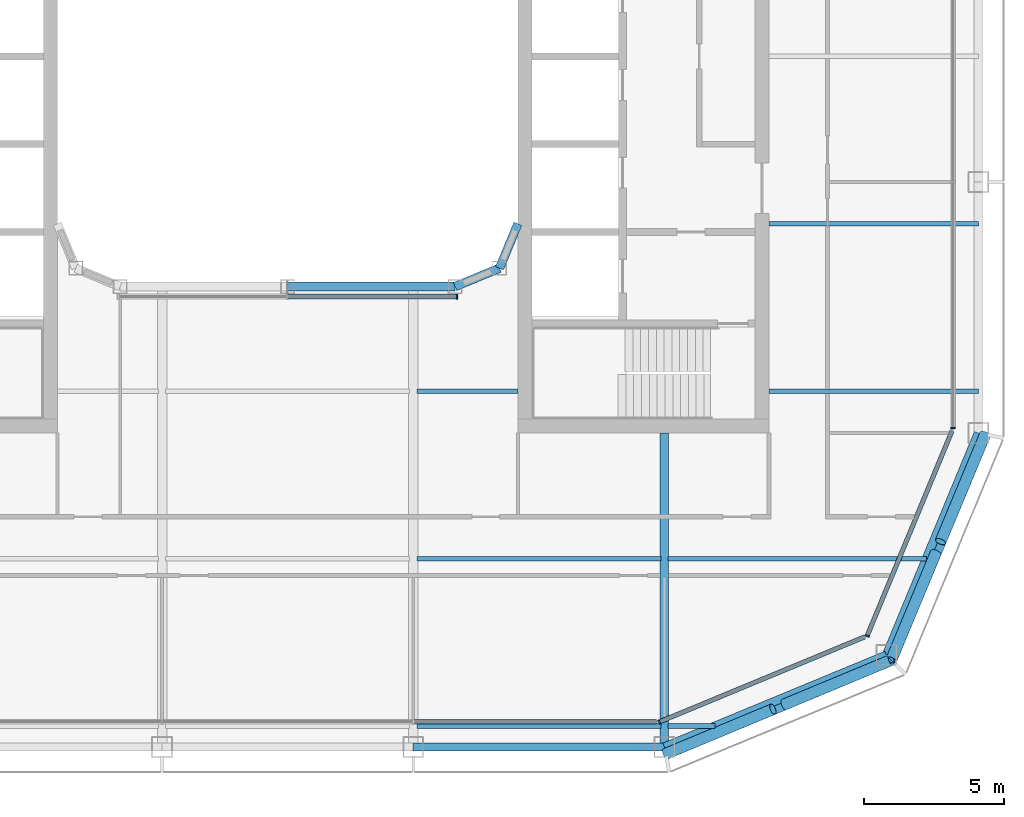
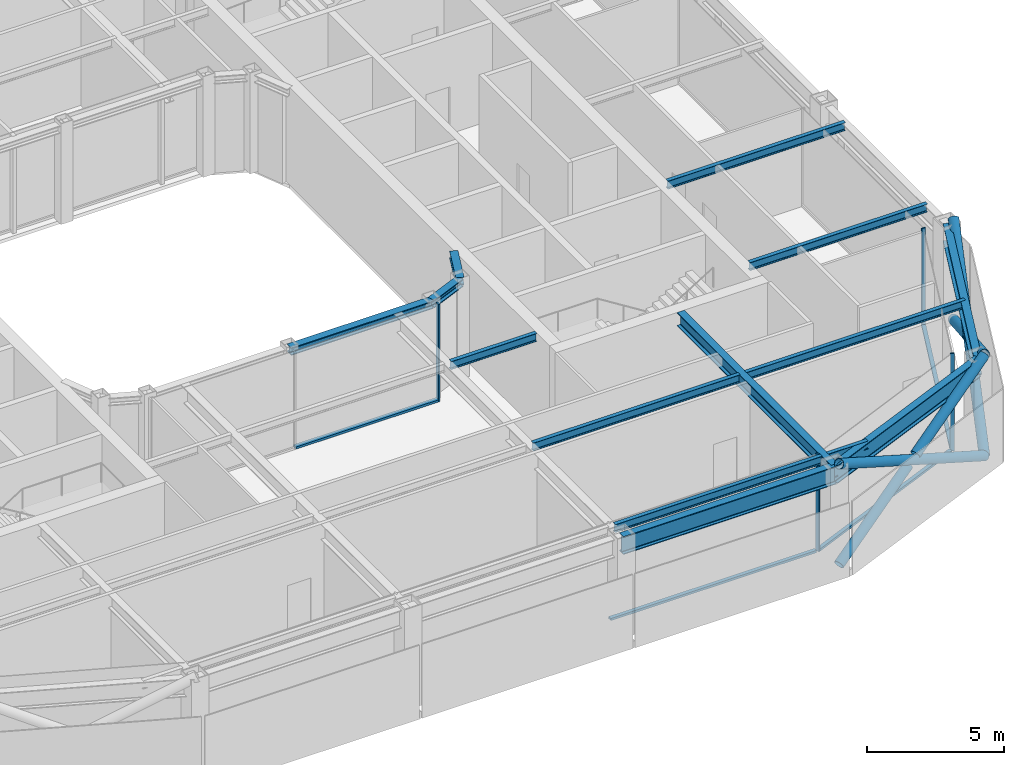
# One storey, part 4 of 17: 14 beams, 14 members, 5 elements without a shape of their own.
"""IFC4 building model written with IfcOpenShell, lengths in metres."""

from ifc_helpers import new_model, si_unit, direction, frame, origin, origin_2d, place, context, subcontext, project, spatial, rectangle, hollow_circle, i_section, extrude, material, layer, layer_set, material_profile, profile_set, type_object, element, aggregate, save


model = new_model("IFC4")

# Units and contexts
model_context = context("Model", 3, precision=1e-05, world=origin(), true_north=direction((0.0, 1.0)))
body_context = subcontext(model_context, "Body", "Model", "MODEL_VIEW")
ifc_project = project(units=[si_unit("LENGTHUNIT", "METRE"), si_unit("AREAUNIT", "SQUARE_METRE"), si_unit("VOLUMEUNIT", "CUBIC_METRE"), si_unit("PLANEANGLEUNIT", "RADIAN"), si_unit("MASSUNIT", "GRAM", prefix="KILO")], contexts=[model_context])

# Site, building, storey
site_placement = place(None, origin())
site = spatial("IfcSite", under=ifc_project, at=site_placement, CompositionType="ELEMENT")
building_placement = place(site_placement, origin())
building = spatial("IfcBuilding", under=site, at=building_placement, Name="Siwar Civic Tower", CompositionType="ELEMENT")
storey_placement = place(building_placement, frame((0.0, 0.0, 289.699951171875)))
storey = spatial("IfcBuildingStorey", under=building, at=storey_placement, Name="L62", CompositionType="ELEMENT", Elevation=289.699951171875)

# Curtain wall, member
ifc_material_1 = material(Name="Aluminium clad insulated panel", Category="aluminium")
ifc_layer_1 = layer(ifc_material_1, 0.159912109375)
ifc_layer_set_1 = layer_set([ifc_layer_1], Name="Aluminium clad insulated panel")
curtain_wall_type_1 = type_object("IfcCurtainWallType", Name="ENV-CW-DX", PredefinedType="NOTDEFINED", material=ifc_layer_set_1)
curtain_wall_1_placement = place(storey_placement, origin())
curtain_wall_1 = element("IfcCurtainWall", 1, at=curtain_wall_1_placement, inside=storey, type_object=curtain_wall_type_1, Name="Curtain wall D SE1", PredefinedType="NOTDEFINED")
ifc_material_2 = material(Name="Aluminium 6063-T6", Category="aluminium")
ifc_material_profile_1 = material_profile(ifc_material_2, rectangle(XDim=0.159912109375, YDim=0.06005859375, at=origin_2d()), Name="AL 160x60")
ifc_profile_set_1 = profile_set([ifc_material_profile_1], Name="Aluminium 6063-T6")
member_type_1 = type_object("IfcMemberType", Name="ENV-MULLION-D", PredefinedType="MULLION", material=ifc_profile_set_1)
member_1_placement = place(storey_placement, frame((13.321044921875, -23.85009765625, 0.0), z_axis=(0.0, 0.0, 1.0), x_axis=(-0.382683432365, 0.923879532511, 0.0)))
member_1 = element("IfcMember", 2, at=member_1_placement, type_object=member_type_1, Name="Mullion D SE1 1", PredefinedType="MULLION", context=body_context, shape_type="SweptSolid", body=[
    extrude(rectangle(XDim=0.159912109375, YDim=0.06005859375, at=origin_2d()), origin(), (0.0, 0.0, 1.0), 4.35009765625),
])

curtain_wall_2_placement = place(storey_placement, origin())
curtain_wall_2 = element("IfcCurtainWall", 3, at=curtain_wall_2_placement, inside=storey, type_object=curtain_wall_type_1, Name="Curtain wall D SE2", PredefinedType="NOTDEFINED")
member_2_placement = place(storey_placement, frame((20.76611328125, -20.76611328125, 0.0), z_axis=(0.0, 0.0, 1.0), x_axis=(-0.923879532511, 0.382683432365, 0.0)))
member_2 = element("IfcMember", 4, at=member_2_placement, type_object=member_type_1, Name="Mullion D SE2 1", PredefinedType="MULLION", context=body_context, shape_type="SweptSolid", body=[
    extrude(rectangle(XDim=0.159912109375, YDim=0.06005859375, at=origin_2d()), origin(), (0.0, 0.0, 1.0), 4.35009765625),
])

ifc_material_3 = material(Name="Aluminium and glass", Category="aluminium")
ifc_layer_2 = layer(ifc_material_3, 0.159912109375)
ifc_layer_set_2 = layer_set([ifc_layer_2], Name="Aluminium and glass")
curtain_wall_type_2 = type_object("IfcCurtainWallType", Name="ENV-CW-D", PredefinedType="NOTDEFINED", material=ifc_layer_set_2)
curtain_wall_3_placement = place(storey_placement, origin())
curtain_wall_3 = element("IfcCurtainWall", 5, at=curtain_wall_3_placement, inside=storey, type_object=curtain_wall_type_2, Name="Curtain wall D E", PredefinedType="NOTDEFINED")
member_3_placement = place(storey_placement, frame((23.85009765625, -13.321044921875, 0.0), z_axis=(0.0, 0.0, 1.0), x_axis=(-1.0, 0.0, 0.0)))
member_3 = element("IfcMember", 6, at=member_3_placement, type_object=member_type_1, Name="Mullion D E 1", PredefinedType="MULLION", context=body_context, shape_type="SweptSolid", body=[
    extrude(rectangle(XDim=0.159912109375, YDim=0.06005859375, at=origin_2d()), origin(), (0.0, 0.0, 1.0), 4.35009765625),
])
aggregate(curtain_wall_3, [member_3])

ifc_material_4 = material(Name="Aluminium and glass", Category="aluminium")
ifc_layer_3 = layer(ifc_material_4, 0.179931640625)
ifc_layer_set_3 = layer_set([ifc_layer_3], Name="Aluminium and glass")
curtain_wall_type_3 = type_object("IfcCurtainWallType", Name="ENV-CW-W", PredefinedType="NOTDEFINED", material=ifc_layer_set_3)
curtain_wall_4_placement = place(storey_placement, origin())
curtain_wall_4 = element("IfcCurtainWall", 7, at=curtain_wall_4_placement, inside=storey, type_object=curtain_wall_type_3, Name="Curtain wall W WS", PredefinedType="NOTDEFINED")
ifc_material_5 = material(Name="Aluminium 6063-T6", Category="aluminium")
ifc_material_profile_2 = material_profile(ifc_material_5, rectangle(XDim=0.179931640625, YDim=0.06005859375, at=origin_2d()), Name="AL 180x60")
ifc_profile_set_2 = profile_set([ifc_material_profile_2], Name="Aluminium 6063-T6")
member_type_2 = type_object("IfcMemberType", Name="ENV-MULLION-W", PredefinedType="MULLION", material=ifc_profile_set_2)
member_4_placement = place(storey_placement, frame((6.071533203125, -8.610107421875, 0.0), z_axis=(0.0, 0.0, 1.0), x_axis=(0.0, 1.0, 0.0)))
member_4 = element("IfcMember", 8, at=member_4_placement, type_object=member_type_2, Name="Mullion W WS 3", PredefinedType="MULLION", context=body_context, shape_type="SweptSolid", body=[
    extrude(rectangle(XDim=0.179931640625, YDim=0.06005859375, at=origin_2d()), origin(), (0.0, 0.0, 1.0), 4.35009765625),
])

curtain_wall_5_placement = place(storey_placement, origin())
curtain_wall_5 = element("IfcCurtainWall", 9, at=curtain_wall_5_placement, inside=storey, type_object=curtain_wall_type_2, Name="Curtain wall D S", PredefinedType="NOTDEFINED")
ifc_material_6 = material(Name="Aluminium 6063-T6", Category="aluminium")
ifc_material_profile_3 = material_profile(ifc_material_6, rectangle(XDim=0.159912109375, YDim=0.10009765625, at=origin_2d()), Name="AL 160x100")
ifc_profile_set_3 = profile_set([ifc_material_profile_3], Name="Aluminium 6063-T6")
member_type_3 = type_object("IfcMemberType", Name="ENV-TRANSOM-D", PredefinedType="USERDEFINED", material=ifc_profile_set_3)
member_5_placement = place(storey_placement, frame((4.530029296875, -23.85009765625, 0.050048828125), z_axis=(1.0, 0.0, 0.0), x_axis=(0.0, 1.0, 0.0)))
member_5 = element("IfcMember", 10, at=member_5_placement, type_object=member_type_3, Name="Transom D S 3", ObjectType="TRANSOM", PredefinedType="USERDEFINED", context=body_context, shape_type="SweptSolid", body=[
    extrude(rectangle(XDim=0.159912109375, YDim=0.10009765625, at=origin_2d()), origin(), (0.0, 0.0, 1.0), 8.693115234375),
])
aggregate(curtain_wall_5, [member_5])

# Member
member_6_placement = place(storey_placement, frame((13.3486328125, -23.838623046875, 0.050048828125), z_axis=(0.923872756612, 0.382699790424, 0.0), x_axis=(-0.382699790424, 0.923872756612, 0.0)))
member_6 = element("IfcMember", 11, at=member_6_placement, type_object=member_type_3, Name="Transom D SE1 1", ObjectType="TRANSOM", PredefinedType="USERDEFINED", context=body_context, shape_type="SweptSolid", body=[
    extrude(rectangle(XDim=0.159912109375, YDim=0.10009765625, at=origin_2d()), origin(), (0.0, 0.0, 1.0), 7.930908203125),
])

aggregate(curtain_wall_1, [member_1, member_6])

member_7_placement = place(storey_placement, frame((20.777587890625, -20.738525390625, 0.050048828125), z_axis=(0.382673515031, 0.923883640343, 0.0), x_axis=(-0.923883640343, 0.382673515031, 0.0)))
member_7 = element("IfcMember", 12, at=member_7_placement, type_object=member_type_3, Name="Transom D SE2 1", ObjectType="TRANSOM", PredefinedType="USERDEFINED", context=body_context, shape_type="SweptSolid", body=[
    extrude(rectangle(XDim=0.159912109375, YDim=0.10009765625, at=origin_2d()), origin(), (0.0, 0.0, 1.0), 7.930908203125),
])

aggregate(curtain_wall_2, [member_2, member_7])

ifc_material_7 = material(Name="Aluminium 6063-T6", Category="aluminium")
ifc_material_profile_4 = material_profile(ifc_material_7, rectangle(XDim=0.179931640625, YDim=0.10009765625, at=origin_2d()), Name="AL 180x100")
ifc_profile_set_4 = profile_set([ifc_material_profile_4], Name="Aluminium 6063-T6")
member_type_4 = type_object("IfcMemberType", Name="ENV-TRANSOM-W", PredefinedType="USERDEFINED", material=ifc_profile_set_4)
member_8_placement = place(storey_placement, frame((0.030029296875, -8.610107421875, 0.050048828125), z_axis=(1.0, 0.0, 0.0), x_axis=(0.0, 1.0, 0.0)))
member_8 = element("IfcMember", 13, at=member_8_placement, type_object=member_type_4, Name="Transom W WS 2", ObjectType="TRANSOM", PredefinedType="USERDEFINED", context=body_context, shape_type="SweptSolid", body=[
    extrude(rectangle(XDim=0.179931640625, YDim=0.10009765625, at=origin_2d()), origin(), (0.0, 0.0, 1.0), 6.011474609375),
])

aggregate(curtain_wall_4, [member_4, member_8])

# Members
ifc_material_8 = material(Name="Steel S355", Category="steel")
ifc_material_profile_5 = material_profile(ifc_material_8, hollow_circle(Radius=0.203125, WallThickness=0.01611328125, at=origin_2d()), Name="CHS406.4x16")
ifc_profile_set_5 = profile_set([ifc_material_profile_5], Name="Steel S355")
member_type_5 = type_object("IfcMemberType", Name="STR-BR-CHS406.4x16", PredefinedType="BRACE", material=ifc_profile_set_5)
member_9_placement = place(storey_placement, frame((21.6318359375, -21.6318359375, 0.0), z_axis=(0.341671493852, 0.821142553604, 0.457149315816), x_axis=(-0.923264922524, 0.384163874976, 0.0)))
element("IfcMember", 14, at=member_9_placement, inside=storey, type_object=member_type_5, Name="L62/brc/DSE1-1-0-1", PredefinedType="BRACE", context=body_context, shape_type="SweptSolid", body=[
    extrude(hollow_circle(Radius=0.203125, WallThickness=0.01611328125, at=origin_2d()), origin(), (0.0, 0.0, 1.0), 9.843505859375),
])
for number, where, z_axis, x_axis, name in (
    (15, (24.9951171875, -13.548828125, 0.0), (-0.341659024948, -0.821130093572, 0.45718101459), (0.923267827529, -0.384156893273, 0.0), "L62/brc/DSE1-1-0-2"),
    (16, (23.229736328125, -17.791259765625, 2.362060546875), (-0.341652533125, -0.821166691915, 0.457120127208), (0.923276488787, -0.38413607648, 0.0), "L62/brc/DSE1-1-0-3"),
):
    element("IfcMember", number, at=place(storey_placement, frame(where, z_axis=z_axis, x_axis=x_axis)), inside=storey, type_object=member_type_5, Name=name, PredefinedType="BRACE", context=body_context, shape_type="SweptSolid", body=[
        extrude(hollow_circle(Radius=0.203125, WallThickness=0.01611328125, at=origin_2d()), origin(), (0.0, 0.0, 1.0), 4.677001953125),
    ])
member_10_placement = place(storey_placement, frame((21.6318359375, -21.6318359375, 0.0), z_axis=(-0.821142553604, -0.341671493852, 0.457149315816), x_axis=(0.384163874976, -0.923264922524, 0.0)))
element("IfcMember", 17, at=member_10_placement, inside=storey, type_object=member_type_5, Name="L62/brc/DSE1-1-0-0", PredefinedType="BRACE", context=body_context, shape_type="SweptSolid", body=[
    extrude(hollow_circle(Radius=0.203125, WallThickness=0.01611328125, at=origin_2d()), origin(), (0.0, 0.0, 1.0), 9.843505859375),
])
for number, where, z_axis, x_axis, name in (
    (18, (13.548828125, -24.9951171875, 0.0), (0.821130093572, 0.341659024948, 0.45718101459), (-0.384156893273, 0.923267827529, 0.0), "L62/brc/DSE1-1-0-4"),
    (19, (17.791259765625, -23.229736328125, 2.362060546875), (0.821166691915, 0.341652533125, 0.457120127208), (-0.38413607648, 0.923276488787, 0.0), "L62/brc/DSE1-1-0-5"),
):
    element("IfcMember", number, at=place(storey_placement, frame(where, z_axis=z_axis, x_axis=x_axis)), inside=storey, type_object=member_type_5, Name=name, PredefinedType="BRACE", context=body_context, shape_type="SweptSolid", body=[
        extrude(hollow_circle(Radius=0.203125, WallThickness=0.01611328125, at=origin_2d()), origin(), (0.0, 0.0, 1.0), 4.677001953125),
    ])

# Beams
ifc_material_9 = material(Name="Steel S355", Category="steel")
ifc_material_profile_6 = material_profile(ifc_material_9, i_section(OverallWidth=0.169921875, OverallDepth=0.360107421875, WebThickness=0.008056640625, FlangeThickness=0.0126953125, FilletRadius=0.01806640625, at=origin_2d()), Name="IPE360")
ifc_profile_set_6 = profile_set([ifc_material_profile_6], Name="Steel S355")
beam_type_1 = type_object("IfcBeamType", Name="STR-FB-IPE360", PredefinedType="JOIST", material=ifc_profile_set_6)
beam_1_placement = place(storey_placement, frame((4.6298828125, -24.0, 4.170166015625), z_axis=(1.0, 0.0, 0.0), x_axis=(0.0, 1.0, 0.0)))
element("IfcBeam", 20, at=beam_1_placement, inside=storey, type_object=beam_type_1, Name="L62/bm/F004", PredefinedType="JOIST", context=body_context, shape_type="SweptSolid", body=[
    extrude(i_section(OverallWidth=0.169921875, OverallDepth=0.360107421875, WebThickness=0.008056640625, FlangeThickness=0.0126953125, FilletRadius=0.01806640625, at=origin_2d()), origin(), (0.0, 0.0, 1.0), 8.740234375),
])
beam_2_placement = place(storey_placement, frame((13.6298828125, -24.0, 4.170166015625), z_axis=(1.0, 0.0, 0.0), x_axis=(0.0, 1.0, 0.0)))
element("IfcBeam", 21, at=beam_2_placement, inside=storey, type_object=beam_type_1, Name="L62/bm/F005", PredefinedType="JOIST", context=body_context, shape_type="SweptSolid", body=[
    extrude(i_section(OverallWidth=0.169921875, OverallDepth=0.360107421875, WebThickness=0.008056640625, FlangeThickness=0.0126953125, FilletRadius=0.01806640625, at=origin_2d()), origin(), (0.0, 0.0, 1.0), 1.6806640625),
])
beam_3_placement = place(storey_placement, frame((4.6298828125, -18.0, 4.170166015625), z_axis=(1.0, 0.0, 0.0), x_axis=(0.0, 1.0, 0.0)))
element("IfcBeam", 22, at=beam_3_placement, inside=storey, type_object=beam_type_1, Name="L62/bm/F009", PredefinedType="JOIST", context=body_context, shape_type="SweptSolid", body=[
    extrude(i_section(OverallWidth=0.169921875, OverallDepth=0.360107421875, WebThickness=0.008056640625, FlangeThickness=0.0126953125, FilletRadius=0.01806640625, at=origin_2d()), origin(), (0.0, 0.0, 1.0), 8.740234375),
])
beam_4_placement = place(storey_placement, frame((13.6298828125, -18.0, 4.170166015625), z_axis=(1.0, 0.0, 0.0), x_axis=(0.0, 1.0, 0.0)))
element("IfcBeam", 23, at=beam_4_placement, inside=storey, type_object=beam_type_1, Name="L62/bm/F010", PredefinedType="JOIST", context=body_context, shape_type="SweptSolid", body=[
    extrude(i_section(OverallWidth=0.169921875, OverallDepth=0.360107421875, WebThickness=0.008056640625, FlangeThickness=0.0126953125, FilletRadius=0.01806640625, at=origin_2d()), origin(), (0.0, 0.0, 1.0), 9.256103515625),
])
beam_5_placement = place(storey_placement, frame((4.6298828125, -12.0, 4.170166015625), z_axis=(1.0, 0.0, 0.0), x_axis=(0.0, 1.0, 0.0)))
element("IfcBeam", 24, at=beam_5_placement, inside=storey, type_object=beam_type_1, Name="L62/bm/F014", PredefinedType="JOIST", context=body_context, shape_type="SweptSolid", body=[
    extrude(i_section(OverallWidth=0.169921875, OverallDepth=0.360107421875, WebThickness=0.008056640625, FlangeThickness=0.0126953125, FilletRadius=0.01806640625, at=origin_2d()), origin(), (0.0, 0.0, 1.0), 3.6201171875),
])
for number, where, z_axis, x_axis, name in (
    (25, (17.25, -12.0, 4.170166015625), (1.0, 0.0, 0.0), (0.0, 1.0, 0.0), "L62/bm/F015"),
    (26, (17.25, -6.0, 4.170166015625), (1.0, 0.0, 0.0), (0.0, 1.0, 0.0), "L62/bm/F017"),
):
    element("IfcBeam", number, at=place(storey_placement, frame(where, z_axis=z_axis, x_axis=x_axis)), inside=storey, type_object=beam_type_1, Name=name, PredefinedType="JOIST", context=body_context, shape_type="SweptSolid", body=[
        extrude(i_section(OverallWidth=0.169921875, OverallDepth=0.360107421875, WebThickness=0.008056640625, FlangeThickness=0.0126953125, FilletRadius=0.01806640625, at=origin_2d()), origin(), (0.0, 0.0, 1.0), 7.5),
    ])
ifc_material_10 = material(Name="Steel S355", Category="steel")
ifc_material_profile_7 = material_profile(ifc_material_10, i_section(OverallWidth=0.300048828125, OverallDepth=0.60009765625, WebThickness=0.015380859375, FlangeThickness=0.030029296875, FilletRadius=0.027099609375, at=origin_2d()), Name="HEB600")
ifc_profile_set_7 = profile_set([ifc_material_profile_7], Name="Steel S355")
beam_type_2 = type_object("IfcBeamType", Name="STR-PG-HEB600", PredefinedType="BEAM", material=ifc_profile_set_7)
beam_6_placement = place(storey_placement, frame((13.5, -24.75, 4.050048828125), z_axis=(0.0, 1.0, 0.0), x_axis=(-1.0, 0.0, 0.0)))
element("IfcBeam", 27, at=beam_6_placement, inside=storey, type_object=beam_type_2, Name="L62/bm/G07", PredefinedType="BEAM", context=body_context, shape_type="SweptSolid", body=[
    extrude(i_section(OverallWidth=0.300048828125, OverallDepth=0.60009765625, WebThickness=0.015380859375, FlangeThickness=0.030029296875, FilletRadius=0.027099609375, at=origin_2d()), origin(), (0.0, 0.0, 1.0), 11.25),
])
ifc_material_11 = material(Name="Steel S355", Category="steel")
ifc_material_profile_8 = material_profile(ifc_material_11, i_section(OverallWidth=0.31005859375, OverallDepth=0.340087890625, WebThickness=0.02099609375, FlangeThickness=0.0390625, FilletRadius=0.027099609375, at=origin_2d()), Name="HEM300")
ifc_profile_set_8 = profile_set([ifc_material_profile_8], Name="Steel S355")
beam_type_3 = type_object("IfcBeamType", Name="STR-RB-HEM300", PredefinedType="BEAM", material=ifc_profile_set_8)
beam_7_placement = place(storey_placement, frame((0.0, -8.25, 4.179931640625), z_axis=(1.0, 0.0, 0.0), x_axis=(0.0, 1.0, 0.0)))
element("IfcBeam", 28, at=beam_7_placement, inside=storey, type_object=beam_type_3, Name="L62/bm/RS2", PredefinedType="BEAM", context=body_context, shape_type="SweptSolid", body=[
    extrude(i_section(OverallWidth=0.31005859375, OverallDepth=0.340087890625, WebThickness=0.02099609375, FlangeThickness=0.0390625, FilletRadius=0.027099609375, at=origin_2d()), origin(), (0.0, 0.0, 1.0), 6.0),
])
for number, where, z_axis, x_axis, name in (
    (29, (6.0, -8.25, 4.179931640625), (0.923901072997, 0.382631424892, 0.0), (-0.382631424892, 0.923901072997, 0.0), "L62/bm/RS3"),
    (30, (7.591064453125, -7.591064453125, 4.179931640625), (0.382631424892, 0.923901072997, 0.0), (-0.923901072997, 0.382631424892, 0.0), "L62/bm/RSEE"),
):
    element("IfcBeam", number, at=place(storey_placement, frame(where, z_axis=z_axis, x_axis=x_axis)), inside=storey, type_object=beam_type_3, Name=name, PredefinedType="BEAM", context=body_context, shape_type="SweptSolid", body=[
        extrude(i_section(OverallWidth=0.31005859375, OverallDepth=0.340087890625, WebThickness=0.02099609375, FlangeThickness=0.0390625, FilletRadius=0.027099609375, at=origin_2d()), origin(), (0.0, 0.0, 1.0), 1.72216796875),
    ])
ifc_material_12 = material(Name="Steel S355", Category="steel")
ifc_material_profile_9 = material_profile(ifc_material_12, i_section(OverallWidth=0.300048828125, OverallDepth=0.800048828125, WebThickness=0.017578125, FlangeThickness=0.032958984375, FilletRadius=0.030029296875, at=origin_2d()), Name="HEB800")
ifc_profile_set_9 = profile_set([ifc_material_profile_9], Name="Steel S355")
beam_type_4 = type_object("IfcBeamType", Name="STR-SB-HEB800", PredefinedType="BEAM", material=ifc_profile_set_9)
beam_8_placement = place(storey_placement, frame((4.5, -24.75, 3.949951171875), z_axis=(1.0, 0.0, 0.0), x_axis=(0.0, 1.0, 0.0)))
element("IfcBeam", 31, at=beam_8_placement, inside=storey, type_object=beam_type_4, Name="L62/bm/SS-2", PredefinedType="BEAM", context=body_context, shape_type="SweptSolid", body=[
    extrude(i_section(OverallWidth=0.300048828125, OverallDepth=0.800048828125, WebThickness=0.017578125, FlangeThickness=0.032958984375, FilletRadius=0.030029296875, at=origin_2d()), origin(), (0.0, 0.0, 1.0), 9.0),
])
for number, where, z_axis, x_axis, name in (
    (32, (13.5, -24.75, 3.949951171875), (0.923872720536, 0.382699877515, 0.0), (-0.382699877515, 0.923872720536, 0.0), "L62/bm/SSE1-0"),
    (33, (21.454833984375, -21.454833984375, 3.949951171875), (0.382699877515, 0.923872720536, 0.0), (-0.923872720536, 0.382699877515, 0.0), "L62/bm/SSE2-0"),
):
    element("IfcBeam", number, at=place(storey_placement, frame(where, z_axis=z_axis, x_axis=x_axis)), inside=storey, type_object=beam_type_4, Name=name, PredefinedType="BEAM", context=body_context, shape_type="SweptSolid", body=[
        extrude(i_section(OverallWidth=0.300048828125, OverallDepth=0.800048828125, WebThickness=0.017578125, FlangeThickness=0.032958984375, FilletRadius=0.030029296875, at=origin_2d()), origin(), (0.0, 0.0, 1.0), 8.6103515625),
    ])

save(model, "model.ifc")
